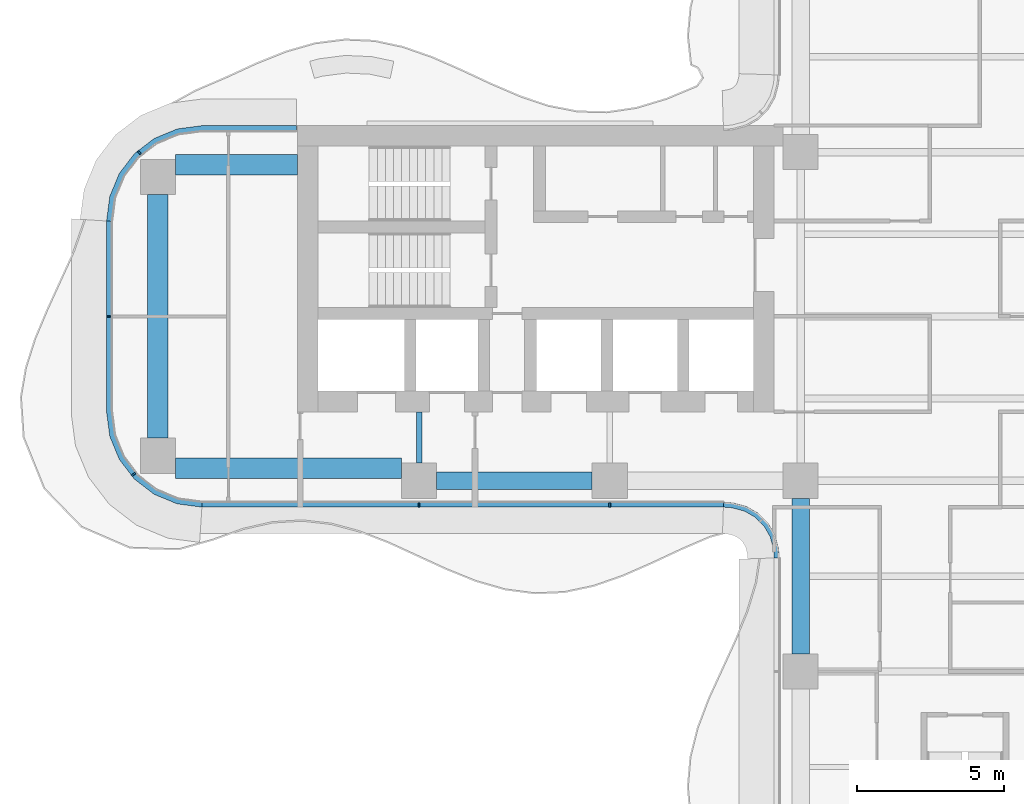
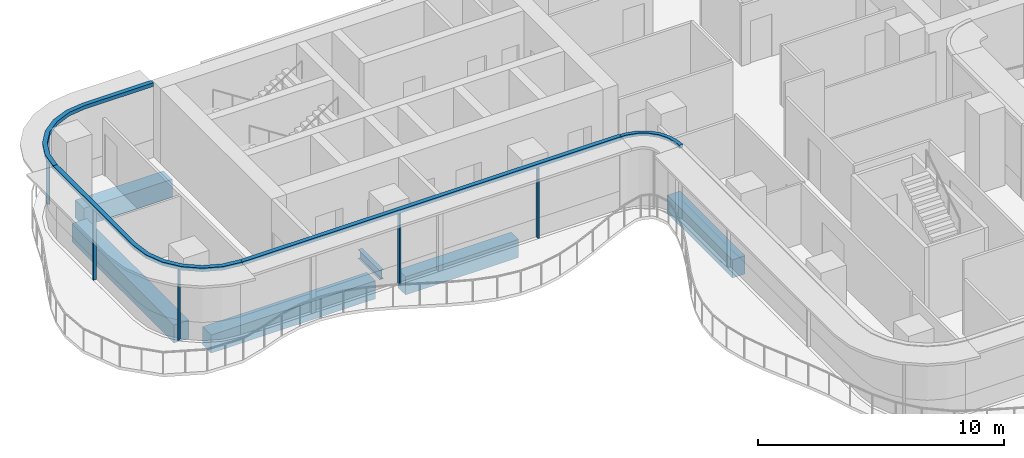
# One storey, part 3 of 17: 9 members, 6 beams, 4 elements without a shape of their own.
"""IFC4 building model written with IfcOpenShell, lengths in metres."""

from ifc_helpers import new_model, si_unit, direction, frame, origin, origin_2d, place, context, subcontext, project, spatial, polyline, rectangle, i_section, outline, extrude, source, transform, mapped, material, layer, layer_set, material_profile, profile_set, type_object, element, aggregate, save


model = new_model("IFC4")

# Units and contexts
model_context = context("Model", 3, precision=1e-05, world=origin(), true_north=direction((0.0, 1.0)))
body_context = subcontext(model_context, "Body", "Model", "MODEL_VIEW")
ifc_project = project(units=[si_unit("LENGTHUNIT", "METRE"), si_unit("AREAUNIT", "SQUARE_METRE"), si_unit("VOLUMEUNIT", "CUBIC_METRE"), si_unit("PLANEANGLEUNIT", "RADIAN"), si_unit("MASSUNIT", "GRAM", prefix="KILO")], contexts=[model_context])

# Site, building, storey
site_placement = place(None, origin())
site = spatial("IfcSite", under=ifc_project, at=site_placement, CompositionType="ELEMENT")
building_placement = place(site_placement, origin())
building = spatial("IfcBuilding", under=site, at=building_placement, Name="Trellis Farm Tower", CompositionType="ELEMENT")
storey_placement = place(building_placement, frame((0.0, 0.0, 185.39990234375)))
storey = spatial("IfcBuildingStorey", under=building, at=storey_placement, Name="L40", CompositionType="ELEMENT", Elevation=185.39990234375)

# Beams
ifc_material_1 = material(Name="Concrete C60/75", Category="concrete")
ifc_material_profile_1 = material_profile(ifc_material_1, rectangle(XDim=0.60009765625, YDim=0.89990234375, at=origin_2d()), Name="RC spandrel beam 600x900 C60/75")
ifc_profile_set_1 = profile_set([ifc_material_profile_1], Name="Concrete C60/75")
beam_type_1 = type_object("IfcBeamType", Name="RC spandrel beam 600x900 C60/75", PredefinedType="SPANDREL", material=ifc_profile_set_1)
shared_shape_1 = source(origin(), body_context, "Body", "SweptSolid", [
    extrude(rectangle(XDim=0.60009765625, YDim=0.89990234375, at=origin_2d()), origin(), (0.0, 0.0, 1.0), 5.300048828125),
])
for number, where, z_axis, x_axis, name in (
    (1, (-18.0, -5.60009765625, -0.64990234375), (1.0, 0.0, 0.0), (0.0, 1.0, 0.0), "Girder"),
    (2, (-5.60009765625, -11.5, -0.64990234375), (0.0, 1.0, 0.0), (-1.0, 0.0, 0.0), "Girder"),
):
    element("IfcBeam", number, at=place(storey_placement, frame(where, z_axis=z_axis, x_axis=x_axis)), inside=storey, type_object=beam_type_1, Name=name, PredefinedType="SPANDREL", context=body_context, shape_type="MappedRepresentation", body=[
        mapped(shared_shape_1, transform((0.0, 0.0, 0.0))),
    ])
ifc_material_profile_2 = material_profile(ifc_material_1, rectangle(XDim=0.699951171875, YDim=0.89990234375, at=origin_2d()), Name="RC spandrel beam 700x900 C60/75")
ifc_profile_set_2 = profile_set([ifc_material_profile_2], Name="Concrete C60/75")
beam_type_2 = type_object("IfcBeamType", Name="RC spandrel beam 700x900 C60/75", PredefinedType="SPANDREL", material=ifc_profile_set_2)
shared_shape_2 = source(origin(), body_context, "Body", "SweptSolid", [
    extrude(rectangle(XDim=0.699951171875, YDim=0.89990234375, at=origin_2d()), origin(), (0.0, 0.0, 1.0), 8.2998046875),
])
beam_1_placement = place(storey_placement, frame((-27.5, -4.14990234375, -0.64990234375), z_axis=(0.0, 1.0, 0.0), x_axis=(-1.0, 0.0, 0.0)))
element("IfcBeam", 3, at=beam_1_placement, inside=storey, type_object=beam_type_2, Name="Girder", PredefinedType="SPANDREL", context=body_context, shape_type="MappedRepresentation", body=[
    mapped(shared_shape_2, transform((0.0, 0.0, 0.0))),
])
ifc_material_2 = material(Name="Steel S355", Category="steel")
ifc_material_profile_3 = material_profile(ifc_material_2, i_section(OverallWidth=0.1904296875, OverallDepth=0.45703125, WebThickness=0.009033203125, FlangeThickness=0.014404296875, FilletRadius=0.01025390625, at=origin_2d()), Name="UB 457x191x74")
ifc_profile_set_3 = profile_set([ifc_material_profile_3], Name="Steel S355")
beam_type_3 = type_object("IfcBeamType", Name="UB 457x191x74", PredefinedType="BEAM", material=ifc_profile_set_3)
shared_shape_3 = source(origin(), body_context, "Body", "SweptSolid", [
    extrude(i_section(OverallWidth=0.1904296875, OverallDepth=0.45703125, WebThickness=0.009033203125, FlangeThickness=0.014404296875, FilletRadius=0.01025390625, at=origin_2d()), origin(), (0.0, 0.0, 1.0), 1.75),
])
beam_2_placement = place(storey_placement, frame((-18.60009765625, -5.0, -0.428466796875), z_axis=(0.0, 1.0, 0.0), x_axis=(-1.0, 0.0, 0.0)))
element("IfcBeam", 4, at=beam_2_placement, inside=storey, type_object=beam_type_3, Name="Girder", PredefinedType="BEAM", context=body_context, shape_type="MappedRepresentation", body=[
    mapped(shared_shape_3, transform((0.0, 0.0, 0.0))),
])
shared_shape_4 = source(origin(), body_context, "Body", "SweptSolid", [
    extrude(rectangle(XDim=0.699951171875, YDim=0.89990234375, at=origin_2d()), origin(), (0.0, 0.0, 1.0), 7.699951171875),
])
beam_3_placement = place(storey_placement, frame((-26.89990234375, -5.175048828125, -0.64990234375), z_axis=(1.0, 0.0, 0.0), x_axis=(0.0, 1.0, 0.0)))
element("IfcBeam", 5, at=beam_3_placement, inside=storey, type_object=beam_type_2, Name="Girder", PredefinedType="SPANDREL", context=body_context, shape_type="MappedRepresentation", body=[
    mapped(shared_shape_4, transform((0.0, 0.0, 0.0))),
])
shared_shape_5 = source(origin(), body_context, "Body", "SweptSolid", [
    extrude(rectangle(XDim=0.699951171875, YDim=0.89990234375, at=origin_2d()), origin(), (0.0, 0.0, 1.0), 4.14990234375),
])
beam_4_placement = place(storey_placement, frame((-26.89990234375, 5.175048828125, -0.64990234375), z_axis=(1.0, 0.0, 0.0), x_axis=(0.0, 1.0, 0.0)))
element("IfcBeam", 6, at=beam_4_placement, inside=storey, type_object=beam_type_2, Name="Girder", PredefinedType="SPANDREL", context=body_context, shape_type="MappedRepresentation", body=[
    mapped(shared_shape_5, transform((0.0, 0.0, 0.0))),
])

# Curtain wall, members
ifc_material_3 = material(Name="Aluminium and glass curtain wall", Category="aluminium")
ifc_layer_1 = layer(ifc_material_3, 0.18994140625)
ifc_layer_set_1 = layer_set([ifc_layer_1], Name="RIBBON CURTAIN WALL CW1")
curtain_wall_type_1 = type_object("IfcCurtainWallType", Name="RIBBON CURTAIN WALL CW1", PredefinedType="NOTDEFINED", material=ifc_layer_set_1)
placement_1 = place(storey_placement, origin())
curtain_wall_1 = element("IfcCurtainWall", 7, at=placement_1, inside=storey, type_object=curtain_wall_type_1, Name="CW1 001", PredefinedType="NOTDEFINED")
ifc_material_4 = material(Name="Aluminium extrusion 6063-T6", Category="aluminium")
ifc_material_profile_4 = material_profile(ifc_material_4, rectangle(XDim=0.06005859375, YDim=0.14990234375, at=origin_2d()), Name="MULLION 60x150")
ifc_profile_set_4 = profile_set([ifc_material_profile_4], Name="Aluminium extrusion 6063-T6")
member_type_1 = type_object("IfcMemberType", Name="CW1 MULLION 60x150", PredefinedType="MULLION", material=ifc_profile_set_4)
shared_shape_6 = source(origin(), body_context, "Body", "SweptSolid", [
    extrude(rectangle(XDim=0.06005859375, YDim=0.14990234375, at=origin_2d()), origin(), (0.0, 0.0, 1.0), 3.52001953125),
])
member_1_placement = place(storey_placement, frame((-18.60009765625, -6.425048828125, 0.0), z_axis=(0.0, 0.0, 1.0), x_axis=(1.0, 0.0, 0.0)))
member_1 = element("IfcMember", 8, at=member_1_placement, type_object=member_type_1, Name="MU1 001-01", PredefinedType="MULLION", context=body_context, shape_type="MappedRepresentation", body=[
    mapped(shared_shape_6, transform((0.0, 0.0, 0.0))),
])
member_2_placement = place(storey_placement, frame((-12.10009765625, -6.425048828125, 0.0), z_axis=(0.0, 0.0, 1.0), x_axis=(1.0, 0.0, 0.0)))
member_2 = element("IfcMember", 9, at=member_2_placement, type_object=member_type_1, Name="MU1 001-02", PredefinedType="MULLION", context=body_context, shape_type="MappedRepresentation", body=[
    mapped(shared_shape_6, transform((0.0, 0.0, 0.0))),
])

# Curtain wall, member
curtain_wall_2 = element("IfcCurtainWall", 10, at=placement_1, inside=storey, type_object=curtain_wall_type_1, Name="CW1 013", PredefinedType="NOTDEFINED")
member_3_placement = place(storey_placement, frame((-28.135498046875, 5.578369140625, 0.0), z_axis=(0.0, 0.0, 1.0), x_axis=(-0.793353340291, -0.608761429009, 0.0)))
member_3 = element("IfcMember", 11, at=member_3_placement, type_object=member_type_1, Name="MU1 013-01", PredefinedType="MULLION", context=body_context, shape_type="MappedRepresentation", body=[
    mapped(shared_shape_6, transform((0.0, 0.0, 0.0))),
])

# Curtain wall, members
curtain_wall_3 = element("IfcCurtainWall", 12, at=placement_1, inside=storey, type_object=curtain_wall_type_1, Name="CW1 014", PredefinedType="NOTDEFINED")
member_4_placement = place(storey_placement, frame((-29.175048828125, 0.0, 0.0), z_axis=(0.0, 0.0, 1.0), x_axis=(0.0, -1.0, 0.0)))
member_4 = element("IfcMember", 13, at=member_4_placement, type_object=member_type_1, Name="MU1 014-01", PredefinedType="MULLION", context=body_context, shape_type="MappedRepresentation", body=[
    mapped(shared_shape_6, transform((0.0, 0.0, 0.0))),
])
member_5_placement = place(storey_placement, frame((-28.328369140625, -5.385498046875, 0.0), z_axis=(0.0, 0.0, 1.0), x_axis=(0.608761429009, -0.793353340291, 0.0)))
member_5 = element("IfcMember", 14, at=member_5_placement, type_object=member_type_1, Name="MU1 014-02", PredefinedType="MULLION", context=body_context, shape_type="MappedRepresentation", body=[
    mapped(shared_shape_6, transform((0.0, 0.0, 0.0))),
])

# Curtain wall, member
ifc_layer_2 = layer(ifc_material_3, 0.166015625)
ifc_layer_set_2 = layer_set([ifc_layer_2], Name="WINTER GARDEN CURTAIN WALL CW3")
curtain_wall_type_2 = type_object("IfcCurtainWallType", Name="WINTER GARDEN CURTAIN WALL CW3", PredefinedType="NOTDEFINED", material=ifc_layer_set_2)
curtain_wall_4 = element("IfcCurtainWall", 15, at=placement_1, inside=storey, type_object=curtain_wall_type_2, Name="CW3 001", PredefinedType="NOTDEFINED")
ifc_layer_3 = layer(ifc_material_4, 0.169921875)
ifc_layer_set_3 = layer_set([ifc_layer_3], Name="Aluminium extrusion 6063-T6")
member_type_2 = type_object("IfcMemberType", Name="CW3 TRANSOM 170x150", PredefinedType="USERDEFINED", material=ifc_layer_set_3)
shared_shape_7 = source(origin(), body_context, "Body", "SweptSolid", [
    extrude(outline(polyline([(-8.2314453125, -6.5), (-8.01953125, -6.513916015625), (-7.91552734375, -6.527587890625), (-7.508544921875, -6.63671875), (-7.144287109375, -6.846923828125), (-6.846923828125, -7.144287109375), (-6.63671875, -7.508544921875), (-6.527587890625, -7.91552734375), (-6.513916015625, -8.01953125), (-6.5, -8.2314453125), (-6.330078125, -8.225830078125), (-6.3447265625, -8.0029296875), (-6.360595703125, -7.88232421875), (-6.478271484375, -7.44287109375), (-6.7109375, -7.0400390625), (-7.0400390625, -6.7109375), (-7.44287109375, -6.478271484375), (-7.88232421875, -6.360595703125), (-8.0029296875, -6.3447265625), (-8.225830078125, -6.330078125), (-8.2314453125, -6.5)])), origin(), (0.0, 0.0, 1.0), 0.150146484375),
])
member_6_placement = place(storey_placement, frame((0.0, 0.0, 3.550048828125)))
member_6 = element("IfcMember", 16, at=member_6_placement, type_object=member_type_2, Name="TR3 001", ObjectType="TRANSOM", PredefinedType="USERDEFINED", context=body_context, shape_type="MappedRepresentation", body=[
    mapped(shared_shape_7, transform((0.0, 0.0, 0.0))),
])
aggregate(curtain_wall_4, [member_6])

# Member
ifc_layer_4 = layer(ifc_material_4, 0.199951171875)
ifc_layer_set_4 = layer_set([ifc_layer_4], Name="Aluminium extrusion 6063-T6")
member_type_3 = type_object("IfcMemberType", Name="CW1 TRANSOM 200x180", PredefinedType="USERDEFINED", material=ifc_layer_set_4)
shared_shape_8 = source(origin(), body_context, "Body", "SweptSolid", [
    extrude(outline(polyline([(-26.0, -6.5), (-8.2314453125, -6.5), (-8.224853515625, -6.300048828125), (-25.98681640625, -6.300048828125), (-26.0, -6.5)])), origin(), (0.0, 0.0, 1.0), 0.18017578125),
])
placement_2 = place(storey_placement, frame((0.0, 0.0, 3.52001953125)))
member_7 = element("IfcMember", 17, at=placement_2, type_object=member_type_3, Name="TR1 001", ObjectType="TRANSOM", PredefinedType="USERDEFINED", context=body_context, shape_type="MappedRepresentation", body=[
    mapped(shared_shape_8, transform((0.0, 0.0, 0.0))),
])

aggregate(curtain_wall_1, [member_1, member_2, member_7])

shared_shape_9 = source(origin(), body_context, "Body", "SweptSolid", [
    extrude(outline(polyline([(-22.780029296875, 6.5), (-26.0, 6.5), (-26.841064453125, 6.38916015625), (-27.625, 6.064697265625), (-28.298095703125, 5.548095703125), (-28.814697265625, 4.875), (-29.13916015625, 4.091064453125), (-29.25, 3.25), (-29.050048828125, 3.23681640625), (-28.9443359375, 4.0390625), (-28.639892578125, 4.774169921875), (-28.155517578125, 5.405517578125), (-27.524169921875, 5.889892578125), (-26.7890625, 6.1943359375), (-25.98681640625, 6.300048828125), (-22.780029296875, 6.300048828125), (-22.780029296875, 6.5)])), origin(), (0.0, 0.0, 1.0), 0.18017578125),
])
member_8 = element("IfcMember", 18, at=placement_2, type_object=member_type_3, Name="TR1 013", ObjectType="TRANSOM", PredefinedType="USERDEFINED", context=body_context, shape_type="MappedRepresentation", body=[
    mapped(shared_shape_9, transform((0.0, 0.0, 0.0))),
])

aggregate(curtain_wall_2, [member_3, member_8])

shared_shape_10 = source(origin(), body_context, "Body", "SweptSolid", [
    extrude(outline(polyline([(-29.25, 3.25), (-29.25, -3.25), (-29.13916015625, -4.091064453125), (-28.814697265625, -4.875), (-28.298095703125, -5.548095703125), (-27.625, -6.064697265625), (-26.841064453125, -6.38916015625), (-26.0, -6.5), (-25.98681640625, -6.300048828125), (-26.7890625, -6.1943359375), (-27.524169921875, -5.889892578125), (-28.155517578125, -5.405517578125), (-28.639892578125, -4.774169921875), (-28.9443359375, -4.0390625), (-29.050048828125, -3.23681640625), (-29.050048828125, 3.23681640625), (-29.25, 3.25)])), origin(), (0.0, 0.0, 1.0), 0.18017578125),
])
member_9 = element("IfcMember", 19, at=placement_2, type_object=member_type_3, Name="TR1 014", ObjectType="TRANSOM", PredefinedType="USERDEFINED", context=body_context, shape_type="MappedRepresentation", body=[
    mapped(shared_shape_10, transform((0.0, 0.0, 0.0))),
])

aggregate(curtain_wall_3, [member_4, member_5, member_9])

save(model, "model.ifc")
